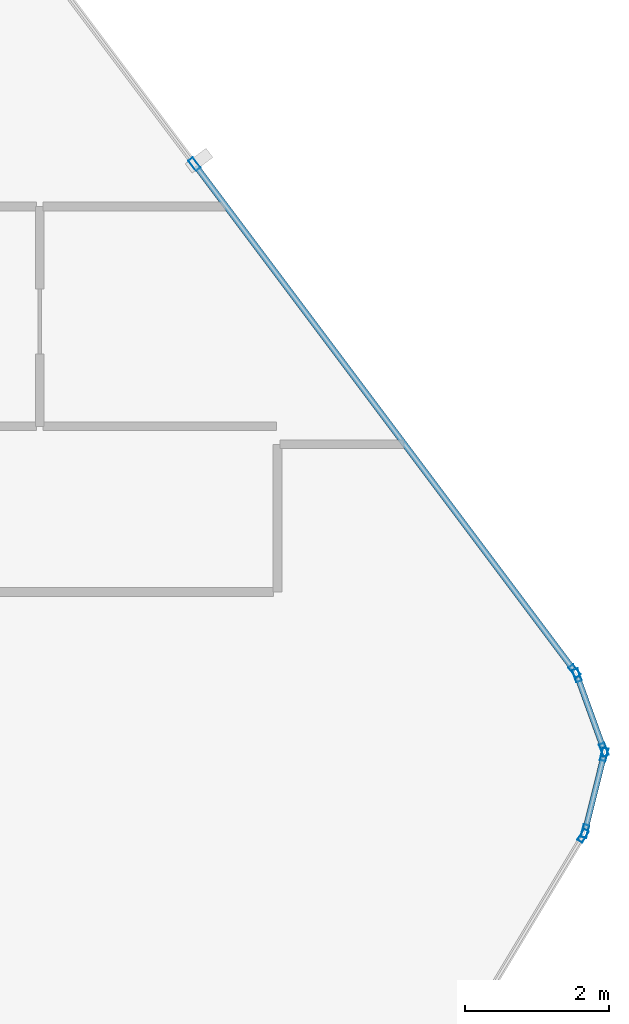
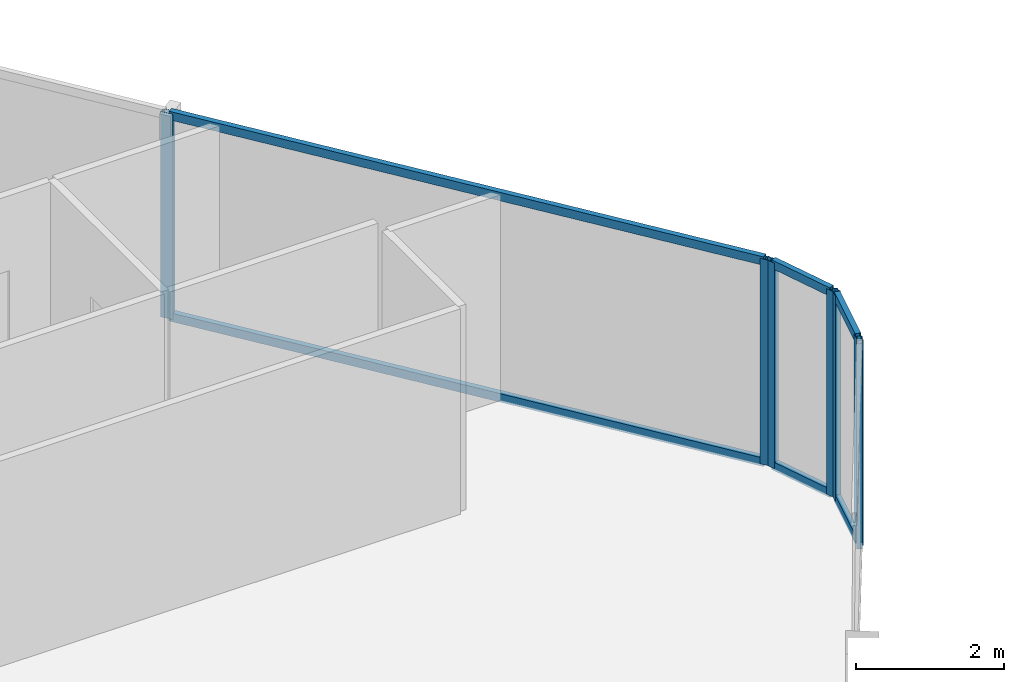
# One storey, part 19 of 31: 13 members, 4 elements without a shape of their own.
"""IFC4 building model written with IfcOpenShell, lengths in metres."""

from ifc_helpers import new_model, si_unit, direction, frame, origin, origin_2d, place, context, subcontext, project, spatial, hollow_rectangle, extrude, material, layer, layer_set, material_profile, profile_set, type_object, element, aggregate, save


model = new_model("IFC4")

# Units and contexts
model_context = context("Model", 3, precision=1e-05, world=origin(), true_north=direction((0.0, 1.0)))
body_context = subcontext(model_context, "Body", "Model", "MODEL_VIEW")
ifc_project = project(units=[si_unit("LENGTHUNIT", "METRE"), si_unit("AREAUNIT", "SQUARE_METRE"), si_unit("VOLUMEUNIT", "CUBIC_METRE"), si_unit("PLANEANGLEUNIT", "RADIAN"), si_unit("MASSUNIT", "GRAM", prefix="KILO")], contexts=[model_context])

# Site, building, storey
site_placement = place(None, origin())
site = spatial("IfcSite", under=ifc_project, at=site_placement, CompositionType="ELEMENT")
building_placement = place(site_placement, origin())
building = spatial("IfcBuilding", under=site, at=building_placement, Name="Keshet Zoharim Tower", CompositionType="ELEMENT")
storey_placement = place(building_placement, frame((0.0, 0.0, 140.89990234375)))
storey = spatial("IfcBuildingStorey", under=building, at=storey_placement, Name="L34", CompositionType="ELEMENT", Elevation=140.89990234375)

# Curtain wall, members
ifc_material = material(Name="Aluminium 6063-T6", Category="aluminium")
ifc_layer = layer(ifc_material, 0.159912109375)
ifc_layer_set = layer_set([ifc_layer], Name="Aluminium 6063-T6")
curtain_wall_type = type_object("IfcCurtainWallType", Name="CW-SYS-03", PredefinedType="NOTDEFINED", material=ifc_layer_set)
curtain_wall_1_placement = place(storey_placement, origin())
curtain_wall_1 = element("IfcCurtainWall", 1, at=curtain_wall_1_placement, inside=storey, type_object=curtain_wall_type, Name="L34 Unitised Curtain Wall 15", PredefinedType="NOTDEFINED")
ifc_material_profile_1 = material_profile(ifc_material, hollow_rectangle(XDim=0.080078125, YDim=0.179931640625, WallThickness=0.00439453125, at=origin_2d()), Name="MUL-80x180")
ifc_profile_set_1 = profile_set([ifc_material_profile_1], Name="Aluminium 6063-T6")
member_type_1 = type_object("IfcMemberType", Name="CWM-M18", PredefinedType="MULLION", material=ifc_profile_set_1)
member_1_placement = place(storey_placement, frame((56.896484375, 46.0380859375, 0.0), z_axis=(0.0, 0.0, 1.0), x_axis=(0.799999999998, 0.600000000002, 0.0)))
member_1 = element("IfcMember", 2, at=member_1_placement, type_object=member_type_1, Name="CW-03 mullion 2", PredefinedType="MULLION", context=body_context, shape_type="SweptSolid", body=[
    extrude(hollow_rectangle(XDim=0.080078125, YDim=0.179931640625, WallThickness=0.00439453125, at=origin_2d()), origin(), (0.0, 0.0, 1.0), 3.385009765625),
])
member_2_placement = place(storey_placement, frame((62.172119140625, 39.00390625, 0.0), z_axis=(0.0, 0.0, 1.0), x_axis=(0.799999999998, 0.600000000002, 0.0)))
member_2 = element("IfcMember", 3, at=member_2_placement, type_object=member_type_1, Name="CW-03 mullion 3", PredefinedType="MULLION", context=body_context, shape_type="SweptSolid", body=[
    extrude(hollow_rectangle(XDim=0.080078125, YDim=0.179931640625, WallThickness=0.00439453125, at=origin_2d()), origin(), (0.0, 0.0, 1.0), 3.385009765625),
])

curtain_wall_2_placement = place(storey_placement, origin())
curtain_wall_2 = element("IfcCurtainWall", 4, at=curtain_wall_2_placement, inside=storey, type_object=curtain_wall_type, Name="L34 Unitised Curtain Wall 16", PredefinedType="NOTDEFINED")
member_3_placement = place(storey_placement, frame((62.204833984375, 38.943115234375, 0.0), z_axis=(0.0, 0.0, 1.0), x_axis=(0.940317877544, 0.340297354046, 0.0)))
member_3 = element("IfcMember", 5, at=member_3_placement, type_object=member_type_1, Name="CW-03 mullion 1", PredefinedType="MULLION", context=body_context, shape_type="SweptSolid", body=[
    extrude(hollow_rectangle(XDim=0.080078125, YDim=0.179931640625, WallThickness=0.00439453125, at=origin_2d()), origin(), (0.0, 0.0, 1.0), 3.385009765625),
])
member_4_placement = place(storey_placement, frame((62.578125, 37.911865234375, 0.0), z_axis=(0.0, 0.0, 1.0), x_axis=(0.940317877544, 0.340297354046, 0.0)))
member_4 = element("IfcMember", 6, at=member_4_placement, type_object=member_type_1, Name="CW-03 mullion 2", PredefinedType="MULLION", context=body_context, shape_type="SweptSolid", body=[
    extrude(hollow_rectangle(XDim=0.080078125, YDim=0.179931640625, WallThickness=0.00439453125, at=origin_2d()), origin(), (0.0, 0.0, 1.0), 3.385009765625),
])

curtain_wall_3_placement = place(storey_placement, origin())
curtain_wall_3 = element("IfcCurtainWall", 7, at=curtain_wall_3_placement, inside=storey, type_object=curtain_wall_type, Name="L34 Unitised Curtain Wall 17", PredefinedType="NOTDEFINED")
member_5_placement = place(storey_placement, frame((62.58154296875, 37.844970703125, 0.0), z_axis=(0.0, 0.0, 1.0), x_axis=(0.970343857447, -0.241728770141, 0.0)))
member_5 = element("IfcMember", 8, at=member_5_placement, type_object=member_type_1, Name="CW-03 mullion 1", PredefinedType="MULLION", context=body_context, shape_type="SweptSolid", body=[
    extrude(hollow_rectangle(XDim=0.080078125, YDim=0.179931640625, WallThickness=0.00439453125, at=origin_2d()), origin(), (0.0, 0.0, 1.0), 3.385009765625),
])
member_6_placement = place(storey_placement, frame((62.31640625, 36.781005859375, 0.0), z_axis=(0.0, 0.0, 1.0), x_axis=(0.970343857447, -0.241728770141, 0.0)))
member_6 = element("IfcMember", 9, at=member_6_placement, type_object=member_type_1, Name="CW-03 mullion 2", PredefinedType="MULLION", context=body_context, shape_type="SweptSolid", body=[
    extrude(hollow_rectangle(XDim=0.080078125, YDim=0.179931640625, WallThickness=0.00439453125, at=origin_2d()), origin(), (0.0, 0.0, 1.0), 3.385009765625),
])

# Curtain wall, member
curtain_wall_4_placement = place(storey_placement, origin())
curtain_wall_4 = element("IfcCurtainWall", 10, at=curtain_wall_4_placement, inside=storey, type_object=curtain_wall_type, Name="L34 Unitised Curtain Wall 18", PredefinedType="NOTDEFINED")
member_7_placement = place(storey_placement, frame((62.2900390625, 36.717041015625, 0.0), z_axis=(0.0, 0.0, 1.0), x_axis=(0.857501477862, -0.514481501576, 0.0)))
member_7 = element("IfcMember", 11, at=member_7_placement, type_object=member_type_1, Name="CW-03 mullion 1", PredefinedType="MULLION", context=body_context, shape_type="SweptSolid", body=[
    extrude(hollow_rectangle(XDim=0.080078125, YDim=0.179931640625, WallThickness=0.00439453125, at=origin_2d()), origin(), (0.0, 0.0, 1.0), 3.385009765625),
])
aggregate(curtain_wall_4, [member_7])

# Member
ifc_material_profile_2 = material_profile(ifc_material, hollow_rectangle(XDim=0.080078125, YDim=0.139892578125, WallThickness=0.00390625, at=origin_2d()), Name="TRN-80x140")
ifc_profile_set_2 = profile_set([ifc_material_profile_2], Name="Aluminium 6063-T6")
member_type_2 = type_object("IfcMemberType", Name="CWT-T14", PredefinedType="USERDEFINED", material=ifc_profile_set_2)
member_8_placement = place(storey_placement, frame((56.91748046875, 46.010009765625, 0.03515625), z_axis=(0.599991043201, -0.800006717521, 0.0), x_axis=(0.800006717521, 0.599991043201, 0.0)))
member_8 = element("IfcMember", 12, at=member_8_placement, type_object=member_type_2, Name="CW-03 transom 2.1", ObjectType="TRANSOM", PredefinedType="USERDEFINED", context=body_context, shape_type="SweptSolid", body=[
    extrude(hollow_rectangle(XDim=0.080078125, YDim=0.139892578125, WallThickness=0.00390625, at=origin_2d()), origin(), (0.0, 0.0, 1.0), 8.722412109375),
])

member_9_placement = place(storey_placement, frame((56.91748046875, 46.010009765625, 3.35009765625), z_axis=(0.599991043201, -0.800006717521, 0.0), x_axis=(0.800006717521, 0.599991043201, 0.0)))
member_9 = element("IfcMember", 13, at=member_9_placement, type_object=member_type_2, Name="CW-03 transom 2.2", ObjectType="TRANSOM", PredefinedType="USERDEFINED", context=body_context, shape_type="SweptSolid", body=[
    extrude(hollow_rectangle(XDim=0.080078125, YDim=0.139892578125, WallThickness=0.00390625, at=origin_2d()), origin(), (0.0, 0.0, 1.0), 8.722412109375),
])

aggregate(curtain_wall_1, [member_1, member_2, member_8, member_9])

member_10_placement = place(storey_placement, frame((62.216796875, 38.91015625, 0.03515625), z_axis=(0.340310579984, -0.940313091024, 0.0), x_axis=(0.940313091024, 0.340310579984, 0.0)))
member_10 = element("IfcMember", 14, at=member_10_placement, type_object=member_type_2, Name="CW-03 transom 1.1", ObjectType="TRANSOM", PredefinedType="USERDEFINED", context=body_context, shape_type="SweptSolid", body=[
    extrude(hollow_rectangle(XDim=0.080078125, YDim=0.139892578125, WallThickness=0.00390625, at=origin_2d()), origin(), (0.0, 0.0, 1.0), 1.026611328125),
])

member_11_placement = place(storey_placement, frame((62.216796875, 38.91015625, 3.35009765625), z_axis=(0.340310579984, -0.940313091024, 0.0), x_axis=(0.940313091024, 0.340310579984, 0.0)))
member_11 = element("IfcMember", 15, at=member_11_placement, type_object=member_type_2, Name="CW-03 transom 1.2", ObjectType="TRANSOM", PredefinedType="USERDEFINED", context=body_context, shape_type="SweptSolid", body=[
    extrude(hollow_rectangle(XDim=0.080078125, YDim=0.139892578125, WallThickness=0.00390625, at=origin_2d()), origin(), (0.0, 0.0, 1.0), 1.026611328125),
])

aggregate(curtain_wall_2, [member_3, member_4, member_10, member_11])

member_12_placement = place(storey_placement, frame((62.572998046875, 37.81103515625, 0.03515625), z_axis=(-0.241640143717, -0.970365931463, 0.0), x_axis=(0.970365931463, -0.241640143717, 0.0)))
member_12 = element("IfcMember", 16, at=member_12_placement, type_object=member_type_2, Name="CW-03 transom 1.1", ObjectType="TRANSOM", PredefinedType="USERDEFINED", context=body_context, shape_type="SweptSolid", body=[
    extrude(hollow_rectangle(XDim=0.080078125, YDim=0.139892578125, WallThickness=0.00390625, at=origin_2d()), origin(), (0.0, 0.0, 1.0), 1.026611328125),
])

member_13_placement = place(storey_placement, frame((62.572998046875, 37.81103515625, 3.35009765625), z_axis=(-0.241640143717, -0.970365931463, 0.0), x_axis=(0.970365931463, -0.241640143717, 0.0)))
member_13 = element("IfcMember", 17, at=member_13_placement, type_object=member_type_2, Name="CW-03 transom 1.2", ObjectType="TRANSOM", PredefinedType="USERDEFINED", context=body_context, shape_type="SweptSolid", body=[
    extrude(hollow_rectangle(XDim=0.080078125, YDim=0.139892578125, WallThickness=0.00390625, at=origin_2d()), origin(), (0.0, 0.0, 1.0), 1.026611328125),
])

aggregate(curtain_wall_3, [member_5, member_6, member_12, member_13])

save(model, "model.ifc")
